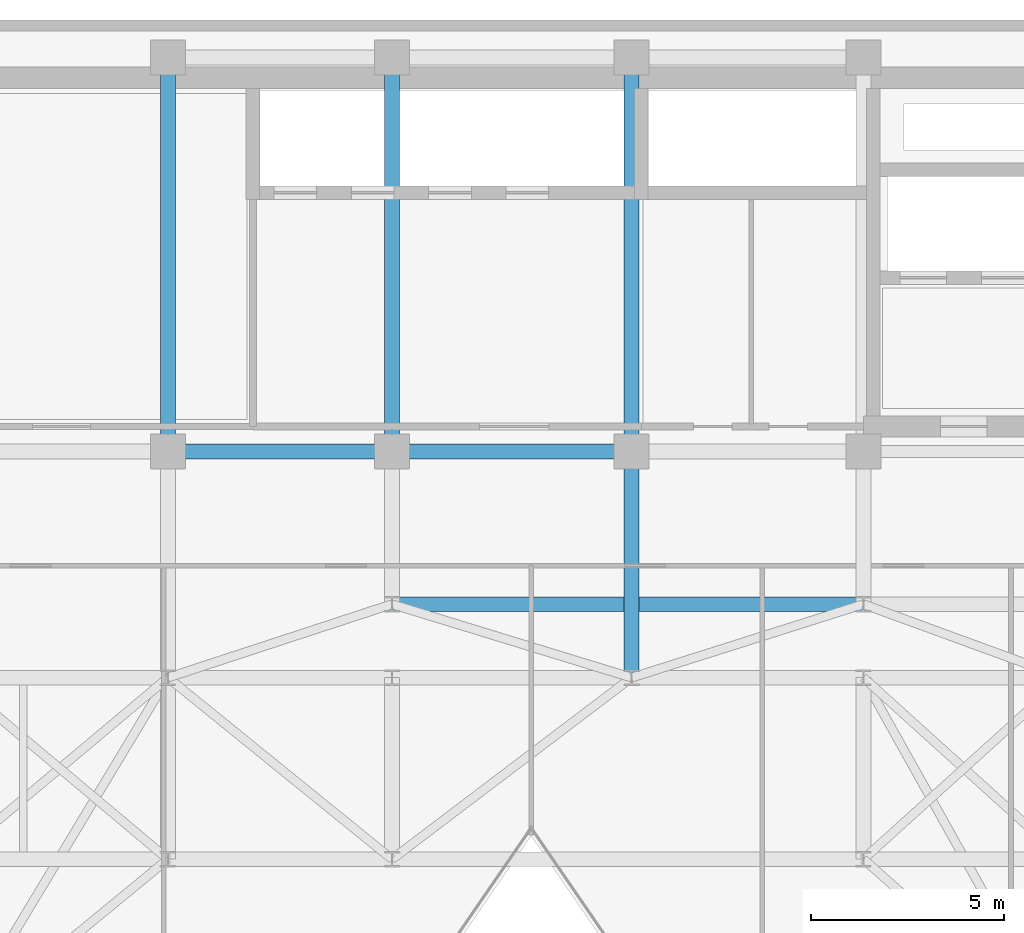
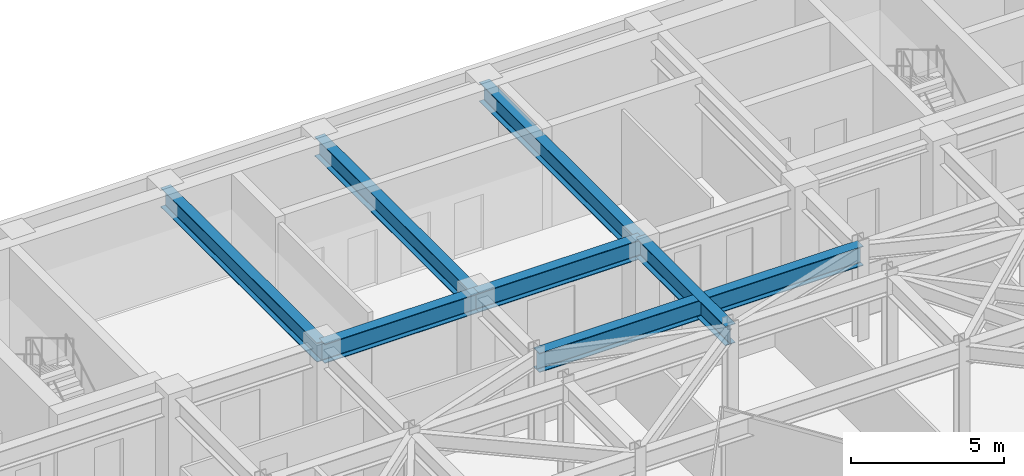
# One storey, part 9 of 21: 7 beams.
"""IFC4 building model written with IfcOpenShell, lengths in metres."""

from ifc_helpers import new_model, si_unit, direction, frame, origin, origin_2d, place, context, subcontext, project, spatial, i_section, extrude, material, material_profile, profile_set, type_object, element, save


model = new_model("IFC4")

# Units and contexts
model_context = context("Model", 3, precision=1e-05, world=origin(), true_north=direction((0.0, 1.0)))
body_context = subcontext(model_context, "Body", "Model", "MODEL_VIEW")
ifc_project = project(units=[si_unit("LENGTHUNIT", "METRE"), si_unit("AREAUNIT", "SQUARE_METRE"), si_unit("VOLUMEUNIT", "CUBIC_METRE"), si_unit("PLANEANGLEUNIT", "RADIAN"), si_unit("MASSUNIT", "GRAM", prefix="KILO")], contexts=[model_context])

# Site, building, storey
site_placement = place(None, origin())
site = spatial("IfcSite", under=ifc_project, at=site_placement, CompositionType="ELEMENT")
building_placement = place(site_placement, origin())
building = spatial("IfcBuilding", under=site, at=building_placement, Name="Kravanh Interchange Tower", CompositionType="ELEMENT")
storey_placement = place(building_placement, frame((0.0, 0.0, 216.5)))
storey = spatial("IfcBuildingStorey", under=building, at=storey_placement, Name="L52", CompositionType="ELEMENT", Elevation=216.5)

# Beams
ifc_material = material(Name="Structural Steel S355", Category="steel")
ifc_material_profile = material_profile(ifc_material, i_section(OverallWidth=0.381103515625, OverallDepth=0.77294921875, WebThickness=0.0166015625, FlangeThickness=0.027099609375, FilletRadius=0.02490234375, at=origin_2d()), Name="W30X173")
ifc_profile_set = profile_set([ifc_material_profile], Name="Structural Steel S355")
beam_type = type_object("IfcBeamType", Name="Floor Beam W30X173 Structural Steel S355", PredefinedType="BEAM", material=ifc_profile_set)
beam_1_placement = place(storey_placement, frame((44.800048828125, 37.35009765625, 3.3583984375), z_axis=(0.0, -1.0, 0.0), x_axis=(1.0, 0.0, 0.0)))
element("IfcBeam", 1, at=beam_1_placement, inside=storey, type_object=beam_type, Name="L52 Primary Floor Girder 12", PredefinedType="BEAM", context=body_context, shape_type="SweptSolid", body=[
    extrude(i_section(OverallWidth=0.381103515625, OverallDepth=0.77294921875, WebThickness=0.0166015625, FlangeThickness=0.027099609375, FilletRadius=0.02490234375, at=origin_2d()), origin(), (0.0, 0.0, 1.0), 5.85009765625),
])
beam_2_placement = place(storey_placement, frame((44.800048828125, 37.35009765625, 3.3583984375), z_axis=(-1.0, 0.0, 0.0), x_axis=(0.0, -1.0, 0.0)))
element("IfcBeam", 2, at=beam_2_placement, inside=storey, type_object=beam_type, Name="L52 Primary Floor Girder 13", PredefinedType="BEAM", context=body_context, shape_type="SweptSolid", body=[
    extrude(i_section(OverallWidth=0.381103515625, OverallDepth=0.77294921875, WebThickness=0.0166015625, FlangeThickness=0.027099609375, FilletRadius=0.02490234375, at=origin_2d()), origin(), (0.0, 0.0, 1.0), 6.199951171875),
])
beam_3_placement = place(storey_placement, frame((44.800048828125, 37.35009765625, 3.3583984375), z_axis=(0.0, 1.0, 0.0), x_axis=(-1.0, 0.0, 0.0)))
element("IfcBeam", 3, at=beam_3_placement, inside=storey, type_object=beam_type, Name="L52 Primary Floor Girder 14", PredefinedType="BEAM", context=body_context, shape_type="SweptSolid", body=[
    extrude(i_section(OverallWidth=0.381103515625, OverallDepth=0.77294921875, WebThickness=0.0166015625, FlangeThickness=0.027099609375, FilletRadius=0.02490234375, at=origin_2d()), origin(), (0.0, 0.0, 1.0), 10.199951171875),
])
beam_4_placement = place(storey_placement, frame((38.60009765625, 37.35009765625, 3.3583984375), z_axis=(-1.0, 0.0, 0.0), x_axis=(0.0, -1.0, 0.0)))
element("IfcBeam", 4, at=beam_4_placement, inside=storey, type_object=beam_type, Name="L52 Primary Floor Girder 17", PredefinedType="BEAM", context=body_context, shape_type="SweptSolid", body=[
    extrude(i_section(OverallWidth=0.381103515625, OverallDepth=0.77294921875, WebThickness=0.0166015625, FlangeThickness=0.027099609375, FilletRadius=0.02490234375, at=origin_2d()), origin(), (0.0, 0.0, 1.0), 5.800048828125),
])
for number, where, z_axis, x_axis, name in (
    (5, (38.60009765625, 37.35009765625, 3.3583984375), (0.0, 1.0, 0.0), (-1.0, 0.0, 0.0), "L52 Primary Floor Girder 18"),
    (6, (32.800048828125, 37.35009765625, 3.3583984375), (0.0, 1.0, 0.0), (-1.0, 0.0, 0.0), "L52 Primary Floor Girder 22"),
):
    element("IfcBeam", number, at=place(storey_placement, frame(where, z_axis=z_axis, x_axis=x_axis)), inside=storey, type_object=beam_type, Name=name, PredefinedType="BEAM", context=body_context, shape_type="SweptSolid", body=[
        extrude(i_section(OverallWidth=0.381103515625, OverallDepth=0.77294921875, WebThickness=0.0166015625, FlangeThickness=0.027099609375, FilletRadius=0.02490234375, at=origin_2d()), origin(), (0.0, 0.0, 1.0), 10.199951171875),
    ])
beam_5_placement = place(storey_placement, frame((38.60009765625, 33.39990234375, 3.3583984375), z_axis=(1.0, 0.0, 0.0), x_axis=(0.0, 1.0, 0.0)))
element("IfcBeam", 7, at=beam_5_placement, inside=storey, type_object=beam_type, Name="L52 Primary Floor Girder 94", PredefinedType="BEAM", context=body_context, shape_type="SweptSolid", body=[
    extrude(i_section(OverallWidth=0.381103515625, OverallDepth=0.77294921875, WebThickness=0.0166015625, FlangeThickness=0.027099609375, FilletRadius=0.02490234375, at=origin_2d()), origin(), (0.0, 0.0, 1.0), 12.199951171875),
])

save(model, "model.ifc")
